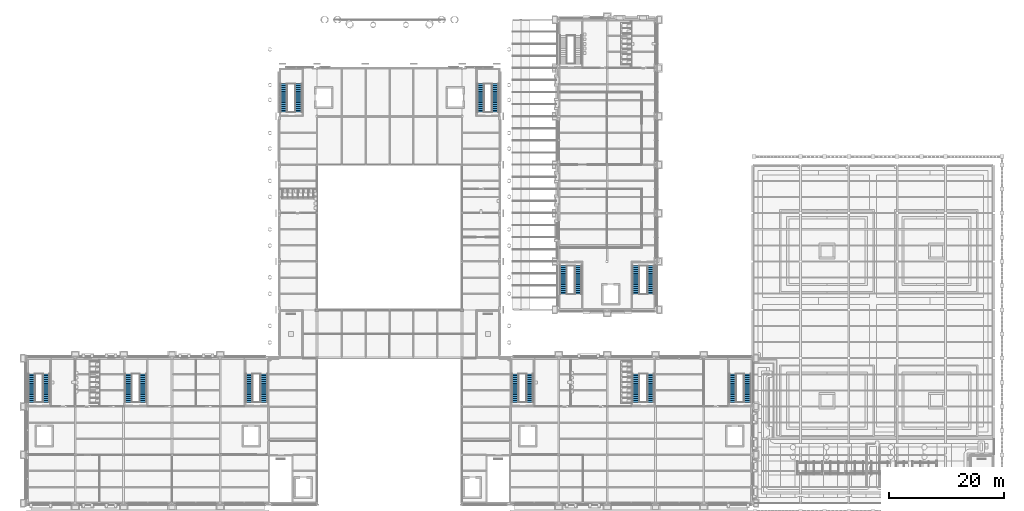
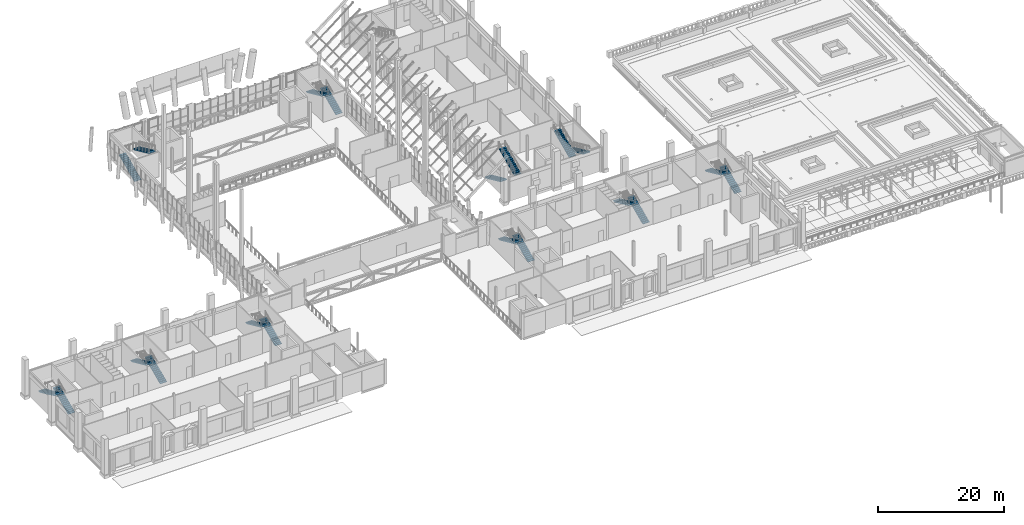
# One storey, part 58 of 76: 20 stair flights, 10 elements without a shape of their own.
"""IFC4 building model written with IfcOpenShell, lengths in metres."""

from ifc_helpers import new_model, si_unit, direction, frame, origin, place, context, subcontext, project, spatial, polyline, outline, extrude, material, type_object, element, aggregate, save


model = new_model("IFC4")

# Units and contexts
model_context = context("Model", 3, precision=1e-05, world=origin(), true_north=direction((0.0, 1.0)))
body_context = subcontext(model_context, "Body", "Model", "MODEL_VIEW")
ifc_project = project(units=[si_unit("LENGTHUNIT", "METRE"), si_unit("AREAUNIT", "SQUARE_METRE"), si_unit("VOLUMEUNIT", "CUBIC_METRE"), si_unit("PLANEANGLEUNIT", "RADIAN"), si_unit("MASSUNIT", "GRAM", prefix="KILO")], contexts=[model_context])

# Site, building, storey
site_placement = place(None, origin())
site = spatial("IfcSite", under=ifc_project, at=site_placement, CompositionType="ELEMENT")
building_placement = place(site_placement, origin())
building = spatial("IfcBuilding", under=site, at=building_placement, Name="Sava Quay Ferry Terminal", CompositionType="ELEMENT")
storey_placement = place(building_placement, frame((0.0, 0.0, 6.0)))
storey = spatial("IfcBuildingStorey", under=building, at=storey_placement, Name="L01", CompositionType="ELEMENT", Elevation=6.0)

# Stair, stair flights
ifc_material_1 = material(Name="Concrete C30/37", Category="concrete")
stair_type = type_object("IfcStairType", Name="Stair 1200 half landing", PredefinedType="HALF_TURN_STAIR", material=ifc_material_1)
stair_1_placement = place(storey_placement, origin())
stair_1 = element("IfcStair", 1, at=stair_1_placement, inside=storey, type_object=stair_type, Name="Stair ST-W1 L01", PredefinedType="HALF_TURN_STAIR")
ifc_material_2 = material(Name="Concrete C30/37", Category="concrete")
stair_flight_type = type_object("IfcStairFlightType", Name="Stair flight 1200", PredefinedType="STRAIGHT", material=ifc_material_2)
stair_flight_1_placement = place(storey_placement, frame((3.39990234375, 42.72998046875, 0.0), z_axis=(0.0, 0.0, 1.0), x_axis=(0.0, 1.0, 0.0)))
stair_flight_1 = element("IfcStairFlight", 2, at=stair_flight_1_placement, type_object=stair_flight_type, Name="ST-W1 flight 1", NumberOfRisers=16, NumberOfTreads=15, PredefinedType="STRAIGHT", RiserHeight=0.15, TreadLength=0.33, context=body_context, shape_type="SweptSolid", body=[
    extrude(outline(polyline([(0.0, 0.0), (0.0, 0.14990234375), (0.330078125, 0.14990234375), (0.330078125, 0.300048828125), (0.659912109375, 0.300048828125), (0.659912109375, 0.449951171875), (0.989990234375, 0.449951171875), (0.989990234375, 0.60009765625), (1.320068359375, 0.60009765625), (1.320068359375, 0.75), (1.64990234375, 0.75), (1.64990234375, 0.89990234375), (1.97998046875, 0.89990234375), (1.97998046875, 1.050048828125), (2.31005859375, 1.050048828125), (2.31005859375, 1.199951171875), (2.639892578125, 1.199951171875), (2.639892578125, 1.35009765625), (2.969970703125, 1.35009765625), (2.969970703125, 1.5), (3.300048828125, 1.5), (3.300048828125, 1.64990234375), (3.6298828125, 1.64990234375), (3.6298828125, 1.800048828125), (3.9599609375, 1.800048828125), (3.9599609375, 1.949951171875), (4.2900390625, 1.949951171875), (4.2900390625, 2.10009765625), (4.6201171875, 2.10009765625), (4.6201171875, 2.25), (4.949951171875, 2.25), (4.949951171875, 2.39990234375), (4.949951171875, 2.08544921875), (0.3623046875, 0.0), (0.0, 0.0)])), frame((0.0, 0.60009765625, 0.0), z_axis=(0.0, -1.0, 0.0), x_axis=(1.0, 0.0, 0.0)), (0.0, 0.0, 1.0), 1.199951171875),
])
stair_flight_2_placement = place(storey_placement, frame((0.800048828125, 47.679931640625, 2.39990234375), z_axis=(0.0, 0.0, 1.0), x_axis=(0.0, -1.0, 0.0)))
stair_flight_2 = element("IfcStairFlight", 3, at=stair_flight_2_placement, type_object=stair_flight_type, Name="ST-W1 flight 2", NumberOfRisers=16, NumberOfTreads=15, PredefinedType="STRAIGHT", RiserHeight=0.15, TreadLength=0.33, context=body_context, shape_type="SweptSolid", body=[
    extrude(outline(polyline([(0.0, 0.0), (0.0, 0.14990234375), (0.330078125, 0.14990234375), (0.330078125, 0.300048828125), (0.659912109375, 0.300048828125), (0.659912109375, 0.449951171875), (0.989990234375, 0.449951171875), (0.989990234375, 0.60009765625), (1.320068359375, 0.60009765625), (1.320068359375, 0.75), (1.64990234375, 0.75), (1.64990234375, 0.89990234375), (1.97998046875, 0.89990234375), (1.97998046875, 1.050048828125), (2.31005859375, 1.050048828125), (2.31005859375, 1.199951171875), (2.639892578125, 1.199951171875), (2.639892578125, 1.35009765625), (2.969970703125, 1.35009765625), (2.969970703125, 1.5), (3.300048828125, 1.5), (3.300048828125, 1.64990234375), (3.6298828125, 1.64990234375), (3.6298828125, 1.800048828125), (3.9599609375, 1.800048828125), (3.9599609375, 1.949951171875), (4.2900390625, 1.949951171875), (4.2900390625, 2.10009765625), (4.6201171875, 2.10009765625), (4.6201171875, 2.25), (4.949951171875, 2.25), (4.949951171875, 2.39990234375), (4.949951171875, 2.08544921875), (0.3623046875, 0.0), (0.0, 0.0)])), frame((0.0, 0.60009765625, 0.0), z_axis=(0.0, -1.0, 0.0), x_axis=(1.0, 0.0, 0.0)), (0.0, 0.0, 1.0), 1.199951171875),
])
aggregate(stair_1, [stair_flight_1, stair_flight_2])

stair_2_placement = place(storey_placement, origin())
stair_2 = element("IfcStair", 4, at=stair_2_placement, inside=storey, type_object=stair_type, Name="Stair ST-W3 L01", PredefinedType="HALF_TURN_STAIR")
stair_flight_3_placement = place(storey_placement, frame((20.199951171875, 42.72998046875, 0.0), z_axis=(0.0, 0.0, 1.0), x_axis=(0.0, 1.0, 0.0)))
stair_flight_3 = element("IfcStairFlight", 5, at=stair_flight_3_placement, type_object=stair_flight_type, Name="ST-W3 flight 1", NumberOfRisers=16, NumberOfTreads=15, PredefinedType="STRAIGHT", RiserHeight=0.15, TreadLength=0.33, context=body_context, shape_type="SweptSolid", body=[
    extrude(outline(polyline([(0.0, 0.0), (0.0, 0.14990234375), (0.330078125, 0.14990234375), (0.330078125, 0.300048828125), (0.659912109375, 0.300048828125), (0.659912109375, 0.449951171875), (0.989990234375, 0.449951171875), (0.989990234375, 0.60009765625), (1.320068359375, 0.60009765625), (1.320068359375, 0.75), (1.64990234375, 0.75), (1.64990234375, 0.89990234375), (1.97998046875, 0.89990234375), (1.97998046875, 1.050048828125), (2.31005859375, 1.050048828125), (2.31005859375, 1.199951171875), (2.639892578125, 1.199951171875), (2.639892578125, 1.35009765625), (2.969970703125, 1.35009765625), (2.969970703125, 1.5), (3.300048828125, 1.5), (3.300048828125, 1.64990234375), (3.6298828125, 1.64990234375), (3.6298828125, 1.800048828125), (3.9599609375, 1.800048828125), (3.9599609375, 1.949951171875), (4.2900390625, 1.949951171875), (4.2900390625, 2.10009765625), (4.6201171875, 2.10009765625), (4.6201171875, 2.25), (4.949951171875, 2.25), (4.949951171875, 2.39990234375), (4.949951171875, 2.08544921875), (0.3623046875, 0.0), (0.0, 0.0)])), frame((0.0, 0.60009765625, 0.0), z_axis=(0.0, -1.0, 0.0), x_axis=(1.0, 0.0, 0.0)), (0.0, 0.0, 1.0), 1.199951171875),
])
stair_flight_4_placement = place(storey_placement, frame((17.60009765625, 47.679931640625, 2.39990234375), z_axis=(0.0, 0.0, 1.0), x_axis=(0.0, -1.0, 0.0)))
stair_flight_4 = element("IfcStairFlight", 6, at=stair_flight_4_placement, type_object=stair_flight_type, Name="ST-W3 flight 2", NumberOfRisers=16, NumberOfTreads=15, PredefinedType="STRAIGHT", RiserHeight=0.15, TreadLength=0.33, context=body_context, shape_type="SweptSolid", body=[
    extrude(outline(polyline([(0.0, 0.0), (0.0, 0.14990234375), (0.330078125, 0.14990234375), (0.330078125, 0.300048828125), (0.659912109375, 0.300048828125), (0.659912109375, 0.449951171875), (0.989990234375, 0.449951171875), (0.989990234375, 0.60009765625), (1.320068359375, 0.60009765625), (1.320068359375, 0.75), (1.64990234375, 0.75), (1.64990234375, 0.89990234375), (1.97998046875, 0.89990234375), (1.97998046875, 1.050048828125), (2.31005859375, 1.050048828125), (2.31005859375, 1.199951171875), (2.639892578125, 1.199951171875), (2.639892578125, 1.35009765625), (2.969970703125, 1.35009765625), (2.969970703125, 1.5), (3.300048828125, 1.5), (3.300048828125, 1.64990234375), (3.6298828125, 1.64990234375), (3.6298828125, 1.800048828125), (3.9599609375, 1.800048828125), (3.9599609375, 1.949951171875), (4.2900390625, 1.949951171875), (4.2900390625, 2.10009765625), (4.6201171875, 2.10009765625), (4.6201171875, 2.25), (4.949951171875, 2.25), (4.949951171875, 2.39990234375), (4.949951171875, 2.08544921875), (0.3623046875, 0.0), (0.0, 0.0)])), frame((0.0, 0.60009765625, 0.0), z_axis=(0.0, -1.0, 0.0), x_axis=(1.0, 0.0, 0.0)), (0.0, 0.0, 1.0), 1.199951171875),
])
aggregate(stair_2, [stair_flight_3, stair_flight_4])

stair_3_placement = place(storey_placement, origin())
stair_3 = element("IfcStair", 7, at=stair_3_placement, inside=storey, type_object=stair_type, Name="Stair ST-W2 L01", PredefinedType="HALF_TURN_STAIR")
stair_flight_5_placement = place(storey_placement, frame((41.199951171875, 42.72998046875, 0.0), z_axis=(0.0, 0.0, 1.0), x_axis=(0.0, 1.0, 0.0)))
stair_flight_5 = element("IfcStairFlight", 8, at=stair_flight_5_placement, type_object=stair_flight_type, Name="ST-W2 flight 1", NumberOfRisers=16, NumberOfTreads=15, PredefinedType="STRAIGHT", RiserHeight=0.15, TreadLength=0.33, context=body_context, shape_type="SweptSolid", body=[
    extrude(outline(polyline([(0.0, 0.0), (0.0, 0.14990234375), (0.330078125, 0.14990234375), (0.330078125, 0.300048828125), (0.659912109375, 0.300048828125), (0.659912109375, 0.449951171875), (0.989990234375, 0.449951171875), (0.989990234375, 0.60009765625), (1.320068359375, 0.60009765625), (1.320068359375, 0.75), (1.64990234375, 0.75), (1.64990234375, 0.89990234375), (1.97998046875, 0.89990234375), (1.97998046875, 1.050048828125), (2.31005859375, 1.050048828125), (2.31005859375, 1.199951171875), (2.639892578125, 1.199951171875), (2.639892578125, 1.35009765625), (2.969970703125, 1.35009765625), (2.969970703125, 1.5), (3.300048828125, 1.5), (3.300048828125, 1.64990234375), (3.6298828125, 1.64990234375), (3.6298828125, 1.800048828125), (3.9599609375, 1.800048828125), (3.9599609375, 1.949951171875), (4.2900390625, 1.949951171875), (4.2900390625, 2.10009765625), (4.6201171875, 2.10009765625), (4.6201171875, 2.25), (4.949951171875, 2.25), (4.949951171875, 2.39990234375), (4.949951171875, 2.08544921875), (0.3623046875, 0.0), (0.0, 0.0)])), frame((0.0, 0.60009765625, 0.0), z_axis=(0.0, -1.0, 0.0), x_axis=(1.0, 0.0, 0.0)), (0.0, 0.0, 1.0), 1.199951171875),
])
stair_flight_6_placement = place(storey_placement, frame((38.60009765625, 47.679931640625, 2.39990234375), z_axis=(0.0, 0.0, 1.0), x_axis=(0.0, -1.0, 0.0)))
stair_flight_6 = element("IfcStairFlight", 9, at=stair_flight_6_placement, type_object=stair_flight_type, Name="ST-W2 flight 2", NumberOfRisers=16, NumberOfTreads=15, PredefinedType="STRAIGHT", RiserHeight=0.15, TreadLength=0.33, context=body_context, shape_type="SweptSolid", body=[
    extrude(outline(polyline([(0.0, 0.0), (0.0, 0.14990234375), (0.330078125, 0.14990234375), (0.330078125, 0.300048828125), (0.659912109375, 0.300048828125), (0.659912109375, 0.449951171875), (0.989990234375, 0.449951171875), (0.989990234375, 0.60009765625), (1.320068359375, 0.60009765625), (1.320068359375, 0.75), (1.64990234375, 0.75), (1.64990234375, 0.89990234375), (1.97998046875, 0.89990234375), (1.97998046875, 1.050048828125), (2.31005859375, 1.050048828125), (2.31005859375, 1.199951171875), (2.639892578125, 1.199951171875), (2.639892578125, 1.35009765625), (2.969970703125, 1.35009765625), (2.969970703125, 1.5), (3.300048828125, 1.5), (3.300048828125, 1.64990234375), (3.6298828125, 1.64990234375), (3.6298828125, 1.800048828125), (3.9599609375, 1.800048828125), (3.9599609375, 1.949951171875), (4.2900390625, 1.949951171875), (4.2900390625, 2.10009765625), (4.6201171875, 2.10009765625), (4.6201171875, 2.25), (4.949951171875, 2.25), (4.949951171875, 2.39990234375), (4.949951171875, 2.08544921875), (0.3623046875, 0.0), (0.0, 0.0)])), frame((0.0, 0.60009765625, 0.0), z_axis=(0.0, -1.0, 0.0), x_axis=(1.0, 0.0, 0.0)), (0.0, 0.0, 1.0), 1.199951171875),
])
aggregate(stair_3, [stair_flight_5, stair_flight_6])

stair_4_placement = place(storey_placement, origin())
stair_4 = element("IfcStair", 10, at=stair_4_placement, inside=storey, type_object=stair_type, Name="Stair ST-D5 L01", PredefinedType="HALF_TURN_STAIR")
stair_flight_7_placement = place(storey_placement, frame((44.60009765625, 93.1298828125, 0.0), z_axis=(0.0, 0.0, 1.0), x_axis=(0.0, 1.0, 0.0)))
stair_flight_7 = element("IfcStairFlight", 11, at=stair_flight_7_placement, type_object=stair_flight_type, Name="ST-D5 flight 1", NumberOfRisers=16, NumberOfTreads=15, PredefinedType="STRAIGHT", RiserHeight=0.15, TreadLength=0.33, context=body_context, shape_type="SweptSolid", body=[
    extrude(outline(polyline([(0.0, 0.0), (0.0, 0.14990234375), (0.330078125, 0.14990234375), (0.330078125, 0.300048828125), (0.659912109375, 0.300048828125), (0.659912109375, 0.449951171875), (0.989990234375, 0.449951171875), (0.989990234375, 0.60009765625), (1.320068359375, 0.60009765625), (1.320068359375, 0.75), (1.64990234375, 0.75), (1.64990234375, 0.89990234375), (1.97998046875, 0.89990234375), (1.97998046875, 1.050048828125), (2.31005859375, 1.050048828125), (2.31005859375, 1.199951171875), (2.639892578125, 1.199951171875), (2.639892578125, 1.35009765625), (2.969970703125, 1.35009765625), (2.969970703125, 1.5), (3.300048828125, 1.5), (3.300048828125, 1.64990234375), (3.6298828125, 1.64990234375), (3.6298828125, 1.800048828125), (3.9599609375, 1.800048828125), (3.9599609375, 1.949951171875), (4.2900390625, 1.949951171875), (4.2900390625, 2.10009765625), (4.6201171875, 2.10009765625), (4.6201171875, 2.25), (4.949951171875, 2.25), (4.949951171875, 2.39990234375), (4.949951171875, 2.08544921875), (0.3623046875, 0.0), (0.0, 0.0)])), frame((0.0, 0.60009765625, 0.0), z_axis=(0.0, -1.0, 0.0), x_axis=(1.0, 0.0, 0.0)), (0.0, 0.0, 1.0), 1.199951171875),
])
stair_flight_8_placement = place(storey_placement, frame((47.199951171875, 98.080078125, 2.39990234375), z_axis=(0.0, 0.0, 1.0), x_axis=(0.0, -1.0, 0.0)))
stair_flight_8 = element("IfcStairFlight", 12, at=stair_flight_8_placement, type_object=stair_flight_type, Name="ST-D5 flight 2", NumberOfRisers=16, NumberOfTreads=15, PredefinedType="STRAIGHT", RiserHeight=0.15, TreadLength=0.33, context=body_context, shape_type="SweptSolid", body=[
    extrude(outline(polyline([(0.0, 0.0), (0.0, 0.14990234375), (0.330078125, 0.14990234375), (0.330078125, 0.300048828125), (0.659912109375, 0.300048828125), (0.659912109375, 0.449951171875), (0.989990234375, 0.449951171875), (0.989990234375, 0.60009765625), (1.320068359375, 0.60009765625), (1.320068359375, 0.75), (1.64990234375, 0.75), (1.64990234375, 0.89990234375), (1.97998046875, 0.89990234375), (1.97998046875, 1.050048828125), (2.31005859375, 1.050048828125), (2.31005859375, 1.199951171875), (2.639892578125, 1.199951171875), (2.639892578125, 1.35009765625), (2.969970703125, 1.35009765625), (2.969970703125, 1.5), (3.300048828125, 1.5), (3.300048828125, 1.64990234375), (3.6298828125, 1.64990234375), (3.6298828125, 1.800048828125), (3.9599609375, 1.800048828125), (3.9599609375, 1.949951171875), (4.2900390625, 1.949951171875), (4.2900390625, 2.10009765625), (4.6201171875, 2.10009765625), (4.6201171875, 2.25), (4.949951171875, 2.25), (4.949951171875, 2.39990234375), (4.949951171875, 2.08544921875), (0.3623046875, 0.0), (0.0, 0.0)])), frame((0.0, 0.60009765625, 0.0), z_axis=(0.0, -1.0, 0.0), x_axis=(1.0, 0.0, 0.0)), (0.0, 0.0, 1.0), 1.199951171875),
])
aggregate(stair_4, [stair_flight_7, stair_flight_8])

stair_5_placement = place(storey_placement, origin())
stair_5 = element("IfcStair", 13, at=stair_5_placement, inside=storey, type_object=stair_type, Name="Stair ST-D6 L01", PredefinedType="HALF_TURN_STAIR")
stair_flight_9_placement = place(storey_placement, frame((81.39990234375, 93.1298828125, 0.0), z_axis=(0.0, 0.0, 1.0), x_axis=(0.0, 1.0, 0.0)))
stair_flight_9 = element("IfcStairFlight", 14, at=stair_flight_9_placement, type_object=stair_flight_type, Name="ST-D6 flight 1", NumberOfRisers=16, NumberOfTreads=15, PredefinedType="STRAIGHT", RiserHeight=0.15, TreadLength=0.33, context=body_context, shape_type="SweptSolid", body=[
    extrude(outline(polyline([(0.0, 0.0), (0.0, 0.14990234375), (0.330078125, 0.14990234375), (0.330078125, 0.300048828125), (0.659912109375, 0.300048828125), (0.659912109375, 0.449951171875), (0.989990234375, 0.449951171875), (0.989990234375, 0.60009765625), (1.320068359375, 0.60009765625), (1.320068359375, 0.75), (1.64990234375, 0.75), (1.64990234375, 0.89990234375), (1.97998046875, 0.89990234375), (1.97998046875, 1.050048828125), (2.31005859375, 1.050048828125), (2.31005859375, 1.199951171875), (2.639892578125, 1.199951171875), (2.639892578125, 1.35009765625), (2.969970703125, 1.35009765625), (2.969970703125, 1.5), (3.300048828125, 1.5), (3.300048828125, 1.64990234375), (3.6298828125, 1.64990234375), (3.6298828125, 1.800048828125), (3.9599609375, 1.800048828125), (3.9599609375, 1.949951171875), (4.2900390625, 1.949951171875), (4.2900390625, 2.10009765625), (4.6201171875, 2.10009765625), (4.6201171875, 2.25), (4.949951171875, 2.25), (4.949951171875, 2.39990234375), (4.949951171875, 2.08544921875), (0.3623046875, 0.0), (0.0, 0.0)])), frame((0.0, 0.60009765625, 0.0), z_axis=(0.0, -1.0, 0.0), x_axis=(1.0, 0.0, 0.0)), (0.0, 0.0, 1.0), 1.199951171875),
])
stair_flight_10_placement = place(storey_placement, frame((78.800048828125, 98.080078125, 2.39990234375), z_axis=(0.0, 0.0, 1.0), x_axis=(0.0, -1.0, 0.0)))
stair_flight_10 = element("IfcStairFlight", 15, at=stair_flight_10_placement, type_object=stair_flight_type, Name="ST-D6 flight 2", NumberOfRisers=16, NumberOfTreads=15, PredefinedType="STRAIGHT", RiserHeight=0.15, TreadLength=0.33, context=body_context, shape_type="SweptSolid", body=[
    extrude(outline(polyline([(0.0, 0.0), (0.0, 0.14990234375), (0.330078125, 0.14990234375), (0.330078125, 0.300048828125), (0.659912109375, 0.300048828125), (0.659912109375, 0.449951171875), (0.989990234375, 0.449951171875), (0.989990234375, 0.60009765625), (1.320068359375, 0.60009765625), (1.320068359375, 0.75), (1.64990234375, 0.75), (1.64990234375, 0.89990234375), (1.97998046875, 0.89990234375), (1.97998046875, 1.050048828125), (2.31005859375, 1.050048828125), (2.31005859375, 1.199951171875), (2.639892578125, 1.199951171875), (2.639892578125, 1.35009765625), (2.969970703125, 1.35009765625), (2.969970703125, 1.5), (3.300048828125, 1.5), (3.300048828125, 1.64990234375), (3.6298828125, 1.64990234375), (3.6298828125, 1.800048828125), (3.9599609375, 1.800048828125), (3.9599609375, 1.949951171875), (4.2900390625, 1.949951171875), (4.2900390625, 2.10009765625), (4.6201171875, 2.10009765625), (4.6201171875, 2.25), (4.949951171875, 2.25), (4.949951171875, 2.39990234375), (4.949951171875, 2.08544921875), (0.3623046875, 0.0), (0.0, 0.0)])), frame((0.0, 0.60009765625, 0.0), z_axis=(0.0, -1.0, 0.0), x_axis=(1.0, 0.0, 0.0)), (0.0, 0.0, 1.0), 1.199951171875),
])
aggregate(stair_5, [stair_flight_9, stair_flight_10])

stair_6_placement = place(storey_placement, origin())
stair_6 = element("IfcStair", 16, at=stair_6_placement, inside=storey, type_object=stair_type, Name="Stair ST-P1 L01", PredefinedType="HALF_TURN_STAIR")
stair_flight_11_placement = place(storey_placement, frame((87.39990234375, 42.72998046875, 0.0), z_axis=(0.0, 0.0, 1.0), x_axis=(0.0, 1.0, 0.0)))
stair_flight_11 = element("IfcStairFlight", 17, at=stair_flight_11_placement, type_object=stair_flight_type, Name="ST-P1 flight 1", NumberOfRisers=16, NumberOfTreads=15, PredefinedType="STRAIGHT", RiserHeight=0.15, TreadLength=0.33, context=body_context, shape_type="SweptSolid", body=[
    extrude(outline(polyline([(0.0, 0.0), (0.0, 0.14990234375), (0.330078125, 0.14990234375), (0.330078125, 0.300048828125), (0.659912109375, 0.300048828125), (0.659912109375, 0.449951171875), (0.989990234375, 0.449951171875), (0.989990234375, 0.60009765625), (1.320068359375, 0.60009765625), (1.320068359375, 0.75), (1.64990234375, 0.75), (1.64990234375, 0.89990234375), (1.97998046875, 0.89990234375), (1.97998046875, 1.050048828125), (2.31005859375, 1.050048828125), (2.31005859375, 1.199951171875), (2.639892578125, 1.199951171875), (2.639892578125, 1.35009765625), (2.969970703125, 1.35009765625), (2.969970703125, 1.5), (3.300048828125, 1.5), (3.300048828125, 1.64990234375), (3.6298828125, 1.64990234375), (3.6298828125, 1.800048828125), (3.9599609375, 1.800048828125), (3.9599609375, 1.949951171875), (4.2900390625, 1.949951171875), (4.2900390625, 2.10009765625), (4.6201171875, 2.10009765625), (4.6201171875, 2.25), (4.949951171875, 2.25), (4.949951171875, 2.39990234375), (4.949951171875, 2.08544921875), (0.3623046875, 0.0), (0.0, 0.0)])), frame((0.0, 0.60009765625, 0.0), z_axis=(0.0, -1.0, 0.0), x_axis=(1.0, 0.0, 0.0)), (0.0, 0.0, 1.0), 1.199951171875),
])
stair_flight_12_placement = place(storey_placement, frame((84.800048828125, 47.679931640625, 2.39990234375), z_axis=(0.0, 0.0, 1.0), x_axis=(0.0, -1.0, 0.0)))
stair_flight_12 = element("IfcStairFlight", 18, at=stair_flight_12_placement, type_object=stair_flight_type, Name="ST-P1 flight 2", NumberOfRisers=16, NumberOfTreads=15, PredefinedType="STRAIGHT", RiserHeight=0.15, TreadLength=0.33, context=body_context, shape_type="SweptSolid", body=[
    extrude(outline(polyline([(0.0, 0.0), (0.0, 0.14990234375), (0.330078125, 0.14990234375), (0.330078125, 0.300048828125), (0.659912109375, 0.300048828125), (0.659912109375, 0.449951171875), (0.989990234375, 0.449951171875), (0.989990234375, 0.60009765625), (1.320068359375, 0.60009765625), (1.320068359375, 0.75), (1.64990234375, 0.75), (1.64990234375, 0.89990234375), (1.97998046875, 0.89990234375), (1.97998046875, 1.050048828125), (2.31005859375, 1.050048828125), (2.31005859375, 1.199951171875), (2.639892578125, 1.199951171875), (2.639892578125, 1.35009765625), (2.969970703125, 1.35009765625), (2.969970703125, 1.5), (3.300048828125, 1.5), (3.300048828125, 1.64990234375), (3.6298828125, 1.64990234375), (3.6298828125, 1.800048828125), (3.9599609375, 1.800048828125), (3.9599609375, 1.949951171875), (4.2900390625, 1.949951171875), (4.2900390625, 2.10009765625), (4.6201171875, 2.10009765625), (4.6201171875, 2.25), (4.949951171875, 2.25), (4.949951171875, 2.39990234375), (4.949951171875, 2.08544921875), (0.3623046875, 0.0), (0.0, 0.0)])), frame((0.0, 0.60009765625, 0.0), z_axis=(0.0, -1.0, 0.0), x_axis=(1.0, 0.0, 0.0)), (0.0, 0.0, 1.0), 1.199951171875),
])
aggregate(stair_6, [stair_flight_11, stair_flight_12])

stair_7_placement = place(storey_placement, origin())
stair_7 = element("IfcStair", 19, at=stair_7_placement, inside=storey, type_object=stair_type, Name="Stair ST-P3 L01", PredefinedType="HALF_TURN_STAIR")
stair_flight_13_placement = place(storey_placement, frame((108.39990234375, 42.72998046875, 0.0), z_axis=(0.0, 0.0, 1.0), x_axis=(0.0, 1.0, 0.0)))
stair_flight_13 = element("IfcStairFlight", 20, at=stair_flight_13_placement, type_object=stair_flight_type, Name="ST-P3 flight 1", NumberOfRisers=16, NumberOfTreads=15, PredefinedType="STRAIGHT", RiserHeight=0.15, TreadLength=0.33, context=body_context, shape_type="SweptSolid", body=[
    extrude(outline(polyline([(0.0, 0.0), (0.0, 0.14990234375), (0.330078125, 0.14990234375), (0.330078125, 0.300048828125), (0.659912109375, 0.300048828125), (0.659912109375, 0.449951171875), (0.989990234375, 0.449951171875), (0.989990234375, 0.60009765625), (1.320068359375, 0.60009765625), (1.320068359375, 0.75), (1.64990234375, 0.75), (1.64990234375, 0.89990234375), (1.97998046875, 0.89990234375), (1.97998046875, 1.050048828125), (2.31005859375, 1.050048828125), (2.31005859375, 1.199951171875), (2.639892578125, 1.199951171875), (2.639892578125, 1.35009765625), (2.969970703125, 1.35009765625), (2.969970703125, 1.5), (3.300048828125, 1.5), (3.300048828125, 1.64990234375), (3.6298828125, 1.64990234375), (3.6298828125, 1.800048828125), (3.9599609375, 1.800048828125), (3.9599609375, 1.949951171875), (4.2900390625, 1.949951171875), (4.2900390625, 2.10009765625), (4.6201171875, 2.10009765625), (4.6201171875, 2.25), (4.949951171875, 2.25), (4.949951171875, 2.39990234375), (4.949951171875, 2.08544921875), (0.3623046875, 0.0), (0.0, 0.0)])), frame((0.0, 0.60009765625, 0.0), z_axis=(0.0, -1.0, 0.0), x_axis=(1.0, 0.0, 0.0)), (0.0, 0.0, 1.0), 1.199951171875),
])
stair_flight_14_placement = place(storey_placement, frame((105.800048828125, 47.679931640625, 2.39990234375), z_axis=(0.0, 0.0, 1.0), x_axis=(0.0, -1.0, 0.0)))
stair_flight_14 = element("IfcStairFlight", 21, at=stair_flight_14_placement, type_object=stair_flight_type, Name="ST-P3 flight 2", NumberOfRisers=16, NumberOfTreads=15, PredefinedType="STRAIGHT", RiserHeight=0.15, TreadLength=0.33, context=body_context, shape_type="SweptSolid", body=[
    extrude(outline(polyline([(0.0, 0.0), (0.0, 0.14990234375), (0.330078125, 0.14990234375), (0.330078125, 0.300048828125), (0.659912109375, 0.300048828125), (0.659912109375, 0.449951171875), (0.989990234375, 0.449951171875), (0.989990234375, 0.60009765625), (1.320068359375, 0.60009765625), (1.320068359375, 0.75), (1.64990234375, 0.75), (1.64990234375, 0.89990234375), (1.97998046875, 0.89990234375), (1.97998046875, 1.050048828125), (2.31005859375, 1.050048828125), (2.31005859375, 1.199951171875), (2.639892578125, 1.199951171875), (2.639892578125, 1.35009765625), (2.969970703125, 1.35009765625), (2.969970703125, 1.5), (3.300048828125, 1.5), (3.300048828125, 1.64990234375), (3.6298828125, 1.64990234375), (3.6298828125, 1.800048828125), (3.9599609375, 1.800048828125), (3.9599609375, 1.949951171875), (4.2900390625, 1.949951171875), (4.2900390625, 2.10009765625), (4.6201171875, 2.10009765625), (4.6201171875, 2.25), (4.949951171875, 2.25), (4.949951171875, 2.39990234375), (4.949951171875, 2.08544921875), (0.3623046875, 0.0), (0.0, 0.0)])), frame((0.0, 0.60009765625, 0.0), z_axis=(0.0, -1.0, 0.0), x_axis=(1.0, 0.0, 0.0)), (0.0, 0.0, 1.0), 1.199951171875),
])
aggregate(stair_7, [stair_flight_13, stair_flight_14])

stair_8_placement = place(storey_placement, origin())
stair_8 = element("IfcStair", 22, at=stair_8_placement, inside=storey, type_object=stair_type, Name="Stair ST-P2 L01", PredefinedType="HALF_TURN_STAIR")
stair_flight_15_placement = place(storey_placement, frame((125.199951171875, 42.72998046875, 0.0), z_axis=(0.0, 0.0, 1.0), x_axis=(0.0, 1.0, 0.0)))
stair_flight_15 = element("IfcStairFlight", 23, at=stair_flight_15_placement, type_object=stair_flight_type, Name="ST-P2 flight 1", NumberOfRisers=16, NumberOfTreads=15, PredefinedType="STRAIGHT", RiserHeight=0.15, TreadLength=0.33, context=body_context, shape_type="SweptSolid", body=[
    extrude(outline(polyline([(0.0, 0.0), (0.0, 0.14990234375), (0.330078125, 0.14990234375), (0.330078125, 0.300048828125), (0.659912109375, 0.300048828125), (0.659912109375, 0.449951171875), (0.989990234375, 0.449951171875), (0.989990234375, 0.60009765625), (1.320068359375, 0.60009765625), (1.320068359375, 0.75), (1.64990234375, 0.75), (1.64990234375, 0.89990234375), (1.97998046875, 0.89990234375), (1.97998046875, 1.050048828125), (2.31005859375, 1.050048828125), (2.31005859375, 1.199951171875), (2.639892578125, 1.199951171875), (2.639892578125, 1.35009765625), (2.969970703125, 1.35009765625), (2.969970703125, 1.5), (3.300048828125, 1.5), (3.300048828125, 1.64990234375), (3.6298828125, 1.64990234375), (3.6298828125, 1.800048828125), (3.9599609375, 1.800048828125), (3.9599609375, 1.949951171875), (4.2900390625, 1.949951171875), (4.2900390625, 2.10009765625), (4.6201171875, 2.10009765625), (4.6201171875, 2.25), (4.949951171875, 2.25), (4.949951171875, 2.39990234375), (4.949951171875, 2.08544921875), (0.3623046875, 0.0), (0.0, 0.0)])), frame((0.0, 0.60009765625, 0.0), z_axis=(0.0, -1.0, 0.0), x_axis=(1.0, 0.0, 0.0)), (0.0, 0.0, 1.0), 1.199951171875),
])
stair_flight_16_placement = place(storey_placement, frame((122.60009765625, 47.679931640625, 2.39990234375), z_axis=(0.0, 0.0, 1.0), x_axis=(0.0, -1.0, 0.0)))
stair_flight_16 = element("IfcStairFlight", 24, at=stair_flight_16_placement, type_object=stair_flight_type, Name="ST-P2 flight 2", NumberOfRisers=16, NumberOfTreads=15, PredefinedType="STRAIGHT", RiserHeight=0.15, TreadLength=0.33, context=body_context, shape_type="SweptSolid", body=[
    extrude(outline(polyline([(0.0, 0.0), (0.0, 0.14990234375), (0.330078125, 0.14990234375), (0.330078125, 0.300048828125), (0.659912109375, 0.300048828125), (0.659912109375, 0.449951171875), (0.989990234375, 0.449951171875), (0.989990234375, 0.60009765625), (1.320068359375, 0.60009765625), (1.320068359375, 0.75), (1.64990234375, 0.75), (1.64990234375, 0.89990234375), (1.97998046875, 0.89990234375), (1.97998046875, 1.050048828125), (2.31005859375, 1.050048828125), (2.31005859375, 1.199951171875), (2.639892578125, 1.199951171875), (2.639892578125, 1.35009765625), (2.969970703125, 1.35009765625), (2.969970703125, 1.5), (3.300048828125, 1.5), (3.300048828125, 1.64990234375), (3.6298828125, 1.64990234375), (3.6298828125, 1.800048828125), (3.9599609375, 1.800048828125), (3.9599609375, 1.949951171875), (4.2900390625, 1.949951171875), (4.2900390625, 2.10009765625), (4.6201171875, 2.10009765625), (4.6201171875, 2.25), (4.949951171875, 2.25), (4.949951171875, 2.39990234375), (4.949951171875, 2.08544921875), (0.3623046875, 0.0), (0.0, 0.0)])), frame((0.0, 0.60009765625, 0.0), z_axis=(0.0, -1.0, 0.0), x_axis=(1.0, 0.0, 0.0)), (0.0, 0.0, 1.0), 1.199951171875),
])
aggregate(stair_8, [stair_flight_15, stair_flight_16])

stair_9_placement = place(storey_placement, origin())
stair_9 = element("IfcStair", 25, at=stair_9_placement, inside=storey, type_object=stair_type, Name="Stair ST-O1 L01", PredefinedType="HALF_TURN_STAIR")
stair_flight_17_placement = place(storey_placement, frame((93.199951171875, 66.469970703125, 0.0), z_axis=(0.0, 0.0, 1.0), x_axis=(0.0, -1.0, 0.0)))
stair_flight_17 = element("IfcStairFlight", 26, at=stair_flight_17_placement, type_object=stair_flight_type, Name="ST-O1 flight 1", NumberOfRisers=16, NumberOfTreads=15, PredefinedType="STRAIGHT", RiserHeight=0.15, TreadLength=0.33, context=body_context, shape_type="SweptSolid", body=[
    extrude(outline(polyline([(0.0, 0.0), (0.0, 0.14990234375), (0.330078125, 0.14990234375), (0.330078125, 0.300048828125), (0.659912109375, 0.300048828125), (0.659912109375, 0.449951171875), (0.989990234375, 0.449951171875), (0.989990234375, 0.60009765625), (1.320068359375, 0.60009765625), (1.320068359375, 0.75), (1.64990234375, 0.75), (1.64990234375, 0.89990234375), (1.97998046875, 0.89990234375), (1.97998046875, 1.050048828125), (2.31005859375, 1.050048828125), (2.31005859375, 1.199951171875), (2.639892578125, 1.199951171875), (2.639892578125, 1.35009765625), (2.969970703125, 1.35009765625), (2.969970703125, 1.5), (3.300048828125, 1.5), (3.300048828125, 1.64990234375), (3.6298828125, 1.64990234375), (3.6298828125, 1.800048828125), (3.9599609375, 1.800048828125), (3.9599609375, 1.949951171875), (4.2900390625, 1.949951171875), (4.2900390625, 2.10009765625), (4.6201171875, 2.10009765625), (4.6201171875, 2.25), (4.949951171875, 2.25), (4.949951171875, 2.39990234375), (4.949951171875, 2.08544921875), (0.3623046875, 0.0), (0.0, 0.0)])), frame((0.0, 0.60009765625, 0.0), z_axis=(0.0, -1.0, 0.0), x_axis=(1.0, 0.0, 0.0)), (0.0, 0.0, 1.0), 1.199951171875),
])
stair_flight_18_placement = place(storey_placement, frame((95.800048828125, 61.52001953125, 2.39990234375), z_axis=(0.0, 0.0, 1.0), x_axis=(0.0, 1.0, 0.0)))
stair_flight_18 = element("IfcStairFlight", 27, at=stair_flight_18_placement, type_object=stair_flight_type, Name="ST-O1 flight 2", NumberOfRisers=16, NumberOfTreads=15, PredefinedType="STRAIGHT", RiserHeight=0.15, TreadLength=0.33, context=body_context, shape_type="SweptSolid", body=[
    extrude(outline(polyline([(0.0, 0.0), (0.0, 0.14990234375), (0.330078125, 0.14990234375), (0.330078125, 0.300048828125), (0.659912109375, 0.300048828125), (0.659912109375, 0.449951171875), (0.989990234375, 0.449951171875), (0.989990234375, 0.60009765625), (1.320068359375, 0.60009765625), (1.320068359375, 0.75), (1.64990234375, 0.75), (1.64990234375, 0.89990234375), (1.97998046875, 0.89990234375), (1.97998046875, 1.050048828125), (2.31005859375, 1.050048828125), (2.31005859375, 1.199951171875), (2.639892578125, 1.199951171875), (2.639892578125, 1.35009765625), (2.969970703125, 1.35009765625), (2.969970703125, 1.5), (3.300048828125, 1.5), (3.300048828125, 1.64990234375), (3.6298828125, 1.64990234375), (3.6298828125, 1.800048828125), (3.9599609375, 1.800048828125), (3.9599609375, 1.949951171875), (4.2900390625, 1.949951171875), (4.2900390625, 2.10009765625), (4.6201171875, 2.10009765625), (4.6201171875, 2.25), (4.949951171875, 2.25), (4.949951171875, 2.39990234375), (4.949951171875, 2.08544921875), (0.3623046875, 0.0), (0.0, 0.0)])), frame((0.0, 0.60009765625, 0.0), z_axis=(0.0, -1.0, 0.0), x_axis=(1.0, 0.0, 0.0)), (0.0, 0.0, 1.0), 1.199951171875),
])
aggregate(stair_9, [stair_flight_17, stair_flight_18])

stair_10_placement = place(storey_placement, origin())
stair_10 = element("IfcStair", 28, at=stair_10_placement, inside=storey, type_object=stair_type, Name="Stair ST-O2 L01", PredefinedType="HALF_TURN_STAIR")
stair_flight_19_placement = place(storey_placement, frame((108.39990234375, 66.469970703125, 0.0), z_axis=(0.0, 0.0, 1.0), x_axis=(0.0, -1.0, 0.0)))
stair_flight_19 = element("IfcStairFlight", 29, at=stair_flight_19_placement, type_object=stair_flight_type, Name="ST-O2 flight 1", NumberOfRisers=16, NumberOfTreads=15, PredefinedType="STRAIGHT", RiserHeight=0.15, TreadLength=0.33, context=body_context, shape_type="SweptSolid", body=[
    extrude(outline(polyline([(0.0, 0.0), (0.0, 0.14990234375), (0.330078125, 0.14990234375), (0.330078125, 0.300048828125), (0.659912109375, 0.300048828125), (0.659912109375, 0.449951171875), (0.989990234375, 0.449951171875), (0.989990234375, 0.60009765625), (1.320068359375, 0.60009765625), (1.320068359375, 0.75), (1.64990234375, 0.75), (1.64990234375, 0.89990234375), (1.97998046875, 0.89990234375), (1.97998046875, 1.050048828125), (2.31005859375, 1.050048828125), (2.31005859375, 1.199951171875), (2.639892578125, 1.199951171875), (2.639892578125, 1.35009765625), (2.969970703125, 1.35009765625), (2.969970703125, 1.5), (3.300048828125, 1.5), (3.300048828125, 1.64990234375), (3.6298828125, 1.64990234375), (3.6298828125, 1.800048828125), (3.9599609375, 1.800048828125), (3.9599609375, 1.949951171875), (4.2900390625, 1.949951171875), (4.2900390625, 2.10009765625), (4.6201171875, 2.10009765625), (4.6201171875, 2.25), (4.949951171875, 2.25), (4.949951171875, 2.39990234375), (4.949951171875, 2.08544921875), (0.3623046875, 0.0), (0.0, 0.0)])), frame((0.0, 0.60009765625, 0.0), z_axis=(0.0, -1.0, 0.0), x_axis=(1.0, 0.0, 0.0)), (0.0, 0.0, 1.0), 1.199951171875),
])
stair_flight_20_placement = place(storey_placement, frame((105.800048828125, 61.52001953125, 2.39990234375), z_axis=(0.0, 0.0, 1.0), x_axis=(0.0, 1.0, 0.0)))
stair_flight_20 = element("IfcStairFlight", 30, at=stair_flight_20_placement, type_object=stair_flight_type, Name="ST-O2 flight 2", NumberOfRisers=16, NumberOfTreads=15, PredefinedType="STRAIGHT", RiserHeight=0.15, TreadLength=0.33, context=body_context, shape_type="SweptSolid", body=[
    extrude(outline(polyline([(0.0, 0.0), (0.0, 0.14990234375), (0.330078125, 0.14990234375), (0.330078125, 0.300048828125), (0.659912109375, 0.300048828125), (0.659912109375, 0.449951171875), (0.989990234375, 0.449951171875), (0.989990234375, 0.60009765625), (1.320068359375, 0.60009765625), (1.320068359375, 0.75), (1.64990234375, 0.75), (1.64990234375, 0.89990234375), (1.97998046875, 0.89990234375), (1.97998046875, 1.050048828125), (2.31005859375, 1.050048828125), (2.31005859375, 1.199951171875), (2.639892578125, 1.199951171875), (2.639892578125, 1.35009765625), (2.969970703125, 1.35009765625), (2.969970703125, 1.5), (3.300048828125, 1.5), (3.300048828125, 1.64990234375), (3.6298828125, 1.64990234375), (3.6298828125, 1.800048828125), (3.9599609375, 1.800048828125), (3.9599609375, 1.949951171875), (4.2900390625, 1.949951171875), (4.2900390625, 2.10009765625), (4.6201171875, 2.10009765625), (4.6201171875, 2.25), (4.949951171875, 2.25), (4.949951171875, 2.39990234375), (4.949951171875, 2.08544921875), (0.3623046875, 0.0), (0.0, 0.0)])), frame((0.0, 0.60009765625, 0.0), z_axis=(0.0, -1.0, 0.0), x_axis=(1.0, 0.0, 0.0)), (0.0, 0.0, 1.0), 1.199951171875),
])
aggregate(stair_10, [stair_flight_19, stair_flight_20])

save(model, "model.ifc")
